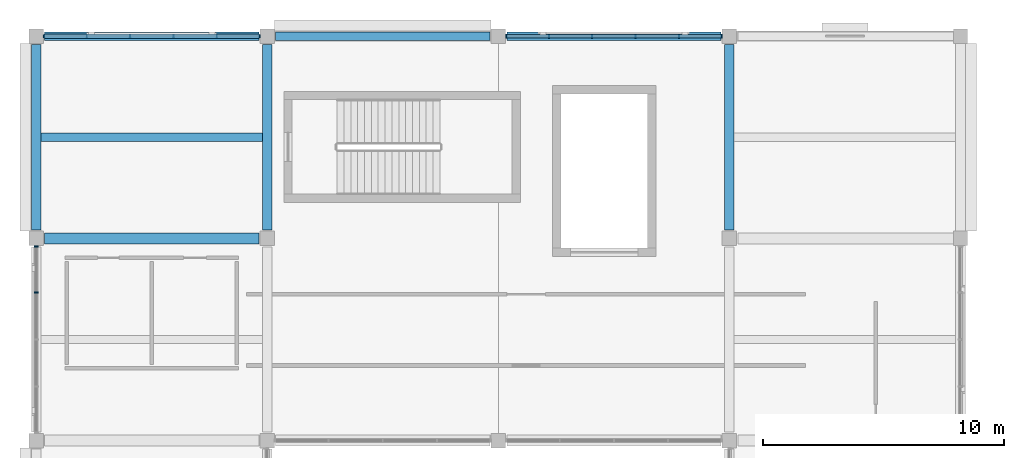
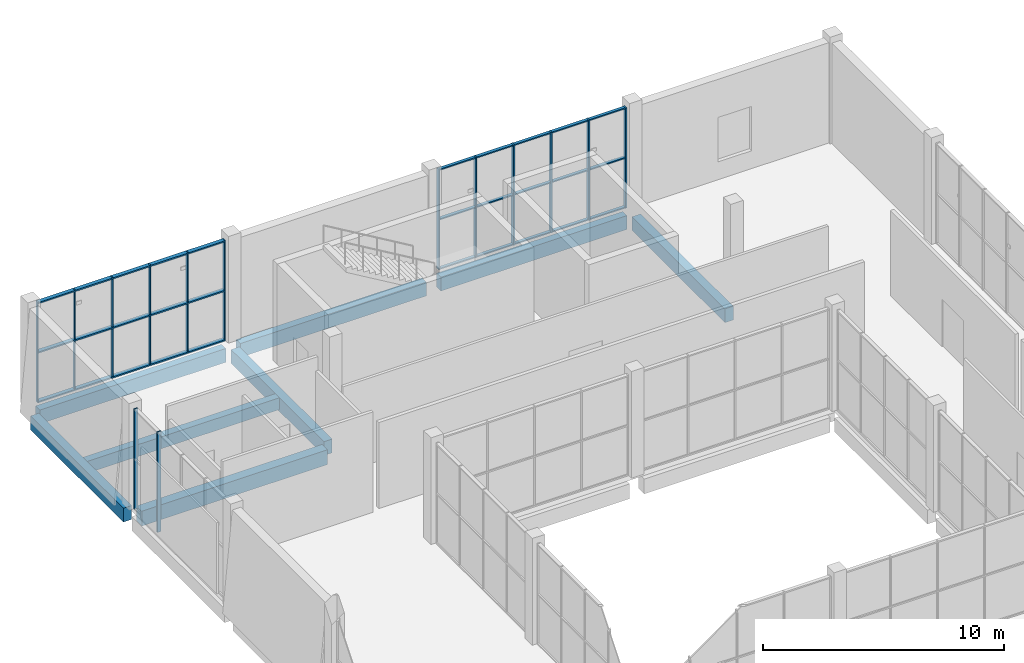
# One storey, part 26 of 83: 20 members, 8 beams, 3 elements without a shape of their own.
"""IFC4 building model written with IfcOpenShell, lengths in metres."""

import ifcopenshell
import ifcopenshell.guid

model = None  # the IFC model being written
_history = None  # IfcOwnerHistory: only IFC2X3 demands one
_inside = {}  # id of a spatial element -> (the spatial element, [elements in it])
_under = {}  # id of a project, library or spatial element -> (it, [spatial elements below it])
_declared = {}  # id of a project -> (the project, [libraries it declares])
_typed = {}  # id of a type object -> (the type object, [elements of that type])
_made_of = {}  # id of a material, layer set ... -> (it, [elements and type objects made of it])


def new_model(schema):
    """Start an empty IFC model of exactly this schema.

    Asked for "IFC4X3", IfcOpenShell would pick the latest addendum, in which some entities
    have other attributes; the version numbers below select the first issue.
    IFC2X3 requires an IfcOwnerHistory on every rooted entity: one is made here for all.
    """
    global model, _history
    if schema == "IFC4X3":
        model = ifcopenshell.file(schema_version=(4, 3, 0, 0))
    else:
        model = ifcopenshell.file(schema=schema)
    _inside.clear()
    _under.clear()
    _declared.clear()
    _typed.clear()
    _made_of.clear()
    _history = None
    if model.schema == "IFC2X3":
        org = make("IfcOrganization", Name="unknown")
        user = make(
            "IfcPersonAndOrganization",
            ThePerson=make("IfcPerson", FamilyName="unknown"),
            TheOrganization=org,
        )
        app = make(
            "IfcApplication",
            ApplicationDeveloper=org,
            Version="unknown",
            ApplicationFullName="unknown",
            ApplicationIdentifier="unknown",
        )
        _history = make(
            "IfcOwnerHistory",
            OwningUser=user,
            OwningApplication=app,
            ChangeAction="ADDED",
            CreationDate=0,
        )
    return model


def make(cls, **values):
    """One entity of the class cls with the attributes given. An attribute that is None is left unset."""
    return model.create_entity(
        cls, **{name: value for name, value in values.items() if value is not None}
    )


def rooted(cls, **values):
    """An entity with a GlobalId (a new one), such as an element, a storey or a relation."""
    return make(cls, GlobalId=ifcopenshell.guid.new(), OwnerHistory=_history, **values)


def si_unit(unit_type, name, prefix=None):
    """IfcSIUnit, for example si_unit("LENGTHUNIT", "METRE", prefix="MILLI")."""
    return make("IfcSIUnit", UnitType=unit_type, Prefix=prefix, Name=name)


def assignment(units):
    """IfcUnitAssignment: the units of a project."""
    return None if units is None else make("IfcUnitAssignment", Units=units)


def point(xyz):
    """IfcCartesianPoint."""
    return None if xyz is None else make("IfcCartesianPoint", Coordinates=xyz)


def direction(xyz):
    """IfcDirection."""
    return None if xyz is None else make("IfcDirection", DirectionRatios=xyz)


def frame(location, z_axis=None, x_axis=None):
    """IfcAxis2Placement3D, a coordinate frame: its origin and axes. An axis left out is left unset."""
    return make(
        "IfcAxis2Placement3D",
        Location=point(location),
        Axis=direction(z_axis),
        RefDirection=direction(x_axis),
    )


def frame_2d(location, x_axis=None):
    """IfcAxis2Placement2D, a coordinate frame in the plane: its origin and x axis."""
    return make(
        "IfcAxis2Placement2D", Location=point(location), RefDirection=direction(x_axis)
    )


def origin():
    """The frame at (0, 0, 0) with its axes left unset."""
    return frame((0.0, 0.0, 0.0))


def origin_2d():
    """The frame at (0, 0) in the plane with its x axis left unset."""
    return frame_2d((0.0, 0.0))


def place(relative_to, where):
    """IfcLocalPlacement: puts the frame where relative to a parent placement (None: the world)."""
    return make(
        "IfcLocalPlacement", PlacementRelTo=relative_to, RelativePlacement=where
    )


def context(
    kind, dimensions, precision=None, world=None, true_north=None, identifier=None
):
    """IfcGeometricRepresentationContext, for example the 3D "Model" context."""
    return make(
        "IfcGeometricRepresentationContext",
        ContextIdentifier=identifier,
        ContextType=kind,
        CoordinateSpaceDimension=dimensions,
        Precision=precision,
        WorldCoordinateSystem=world,
        TrueNorth=true_north,
    )


def subcontext(parent, identifier, kind, view, scale=None):
    """IfcGeometricRepresentationSubContext, for example "Body" below "Model"."""
    return make(
        "IfcGeometricRepresentationSubContext",
        ContextIdentifier=identifier,
        ContextType=kind,
        ParentContext=parent,
        TargetScale=scale,
        TargetView=view,
    )


def project(units=None, contexts=None):
    """IfcProject with its units and contexts."""
    return rooted(
        "IfcProject",
        Name="project",
        RepresentationContexts=contexts,
        UnitsInContext=assignment(units),
    )


def spatial(cls, under=None, at=None, **own):
    """A site, building, storey or space (cls), placed at a placement, below another one or the project."""
    s = rooted(cls, ObjectPlacement=at, **own)
    if under is not None:
        _under.setdefault(under.id(), (under, []))[1].append(s)
    return s


def profile(cls, at=None, kind="AREA", **sizes):
    """A parametric profile (cls). Its sizes go by their IFC names, for example OverallWidth=200.0."""
    return make(cls, ProfileType=kind, Position=at, **sizes)


def rectangle(**sizes):
    """IfcRectangleProfileDef."""
    return profile("IfcRectangleProfileDef", **sizes)


def extrude(swept, where, along, depth):
    """IfcExtrudedAreaSolid: the profile swept, set in the frame where, extruded along a direction by depth."""
    return make(
        "IfcExtrudedAreaSolid",
        SweptArea=swept,
        Position=where,
        ExtrudedDirection=direction(along),
        Depth=depth,
    )


def shape(context_of_items, identifier, shape_type, items):
    """IfcShapeRepresentation: the items that make up one representation, for example the "Body"."""
    return make(
        "IfcShapeRepresentation",
        ContextOfItems=context_of_items,
        RepresentationIdentifier=identifier,
        RepresentationType=shape_type,
        Items=items,
    )


def material(Name=None, Category=None):
    """IfcMaterial."""
    return make("IfcMaterial", Name=Name, Category=Category)


def material_profile(
    of_material, cross_section, Name=None, Category=None, Priority=None
):
    """IfcMaterialProfile: a cross section and its material."""
    return make(
        "IfcMaterialProfile",
        Name=Name,
        Material=of_material,
        Profile=cross_section,
        Priority=Priority,
        Category=Category,
    )


def profile_set(profiles, Name=None, composite=None):
    """IfcMaterialProfileSet."""
    return make(
        "IfcMaterialProfileSet",
        Name=Name,
        MaterialProfiles=profiles,
        CompositeProfile=composite,
    )


def made_of(thing, what):
    """Note that an element or type object is made of a material, layer set ...; save() writes the relation."""
    if what is not None:
        _made_of.setdefault(what.id(), (what, []))[1].append(thing)
    return thing


def type_object(cls, material=None, **own):
    """A type object (cls), such as IfcWallType, which elements share."""
    return made_of(rooted(cls, **own), material)


def element(
    cls,
    number,
    at=None,
    inside=None,
    cuts=None,
    type_object=None,
    material=None,
    context=None,
    identifier="Body",
    shape_type=None,
    held_by="IfcProductDefinitionShape",
    body=None,
    shapes=None,
    **own,
):
    """One element of the class cls, such as IfcWall. Its Tag is "e" and its number.

    at: its placement. inside: the storey or other place that contains it. cuts: it is an
    opening in that element (IfcRelVoidsElement). A single representation is given by context,
    identifier, shape_type and body (its items); several are given by shapes. held_by: the class
    of the entity that holds the representations. save() writes the other relations.
    """
    e = rooted(cls, Tag="e%d" % number, ObjectPlacement=at, **own)
    if body is not None:
        shapes = [shape(context, identifier, shape_type, body)]
    if shapes is not None:
        e.Representation = make(held_by, Representations=shapes)
    if inside is not None:
        _inside.setdefault(inside.id(), (inside, []))[1].append(e)
    if cuts is not None:
        rooted(
            "IfcRelVoidsElement", RelatingBuildingElement=cuts, RelatedOpeningElement=e
        )
    if type_object is not None:
        _typed.setdefault(type_object.id(), (type_object, []))[1].append(e)
    return made_of(e, material)


def aggregate(whole, parts):
    """IfcRelAggregates: a whole, such as a stair, and the parts it consists of."""
    return rooted("IfcRelAggregates", RelatingObject=whole, RelatedObjects=parts)


def save(model, path):
    """Write the relations noted so far, then the file.

    IfcRelAggregates (storeys below a building ...), IfcRelContainedInSpatialStructure (elements
    in a storey), IfcRelDefinesByType, IfcRelAssociatesMaterial and IfcRelDeclares: one each for
    every whole, place, type object, material and project.
    """
    for whole, parts in _under.values():
        aggregate(whole, parts)
    for where, things in _inside.values():
        rooted(
            "IfcRelContainedInSpatialStructure",
            RelatedElements=things,
            RelatingStructure=where,
        )
    for kind, things in _typed.values():
        rooted("IfcRelDefinesByType", RelatedObjects=things, RelatingType=kind)
    for what, things in _made_of.values():
        rooted("IfcRelAssociatesMaterial", RelatedObjects=things, RelatingMaterial=what)
    for by, libraries in _declared.values():
        rooted("IfcRelDeclares", RelatingContext=by, RelatedDefinitions=libraries)
    model.write(path)


model = new_model("IFC4")

# Units and contexts
model_context = context("Model", 3, precision=1e-05, world=origin(), true_north=direction((0.0, 1.0)))
body_context = subcontext(model_context, "Body", "Model", "MODEL_VIEW")
ifc_project = project(units=[si_unit("LENGTHUNIT", "METRE"), si_unit("AREAUNIT", "SQUARE_METRE"), si_unit("VOLUMEUNIT", "CUBIC_METRE"), si_unit("PLANEANGLEUNIT", "RADIAN"), si_unit("MASSUNIT", "GRAM", prefix="KILO")], contexts=[model_context])

# Site, building, storey
site_placement = place(None, origin())
site = spatial("IfcSite", under=ifc_project, at=site_placement, CompositionType="ELEMENT")
building_placement = place(site_placement, origin())
building = spatial("IfcBuilding", under=site, at=building_placement, Name="Shalvenor Court Art Gallery", CompositionType="ELEMENT")
storey_placement = place(building_placement, frame((0.0, 0.0, 6.0)))
storey = spatial("IfcBuildingStorey", under=building, at=storey_placement, Name="L01", CompositionType="ELEMENT", Elevation=6.0)

# Beams
ifc_material_1 = material(Name="Concrete C40/50", Category="concrete")
ifc_material_profile_1 = material_profile(ifc_material_1, rectangle(XDim=0.449951171875, YDim=0.75, at=origin_2d()), Name="RC 450x750")
ifc_profile_set_1 = profile_set([ifc_material_profile_1], Name="Concrete C40/50")
beam_type_1 = type_object("IfcBeamType", Name="B-04", PredefinedType="BEAM", material=ifc_profile_set_1)
beam_1_placement = place(storey_placement, frame((0.35009765625, 114.0, -0.695068359375), z_axis=(1.0, 0.0, 0.0), x_axis=(0.0, 1.0, 0.0)))
element("IfcBeam", 1, at=beam_1_placement, inside=storey, type_object=beam_type_1, Name="L01 Girder BM-L01-B-04-0604", PredefinedType="BEAM", context=body_context, shape_type="SweptSolid", body=[
    extrude(rectangle(XDim=0.449951171875, YDim=0.75, at=origin_2d()), origin(), (0.0, 0.0, 1.0), 8.89990234375),
])
ifc_material_2 = material(Name="Concrete C40/50", Category="concrete")
ifc_material_profile_2 = material_profile(ifc_material_2, rectangle(XDim=0.39990234375, YDim=0.699951171875, at=origin_2d()), Name="RC 400x700")
ifc_profile_set_2 = profile_set([ifc_material_profile_2], Name="Concrete C40/50")
beam_type_2 = type_object("IfcBeamType", Name="B-05", PredefinedType="BEAM", material=ifc_profile_set_2)
for number, where, z_axis, x_axis, name in (
    (2, (0.0, 114.35009765625, -0.669921875), (0.0, 1.0, 0.0), (-1.0, 0.0, 0.0), "L01 Girder BM-L01-B-05-0365"),
    (3, (9.60009765625, 114.35009765625, -0.669921875), (0.0, 1.0, 0.0), (-1.0, 0.0, 0.0), "L01 Girder BM-L01-B-05-0373"),
    (4, (28.800048828125, 114.35009765625, -0.669921875), (0.0, 1.0, 0.0), (-1.0, 0.0, 0.0), "L01 Girder BM-L01-B-05-0387"),
):
    element("IfcBeam", number, at=place(storey_placement, frame(where, z_axis=z_axis, x_axis=x_axis)), inside=storey, type_object=beam_type_2, Name=name, PredefinedType="BEAM", context=body_context, shape_type="SweptSolid", body=[
        extrude(rectangle(XDim=0.39990234375, YDim=0.699951171875, at=origin_2d()), origin(), (0.0, 0.0, 1.0), 7.699951171875),
    ])

# Curtain wall, members
ifc_material_3 = material(Name="Anodised aluminium and low-iron glass curtain wall", Category="aluminium")
curtain_wall_type_1 = type_object("IfcCurtainWallType", Name="CW-5x2-90-51-111", PredefinedType="USERDEFINED", material=ifc_material_3)
curtain_wall_1_placement = place(storey_placement, origin())
curtain_wall_1 = element("IfcCurtainWall", 5, at=curtain_wall_1_placement, inside=storey, type_object=curtain_wall_type_1, Name="L01 V5 Curtain Wall CW-L01-168", ObjectType="CURTAIN WALL", PredefinedType="USERDEFINED")
ifc_material_4 = material(Name="Anodised aluminium mullion", Category="aluminium")
ifc_material_profile_3 = material_profile(ifc_material_4, rectangle(XDim=0.06494140625, YDim=0.179931640625, at=origin_2d()), Name="CWM-01")
ifc_profile_set_3 = profile_set([ifc_material_profile_3], Name="Anodised aluminium mullion")
member_type_1 = type_object("IfcMemberType", Name="CWM-01", PredefinedType="MULLION", material=ifc_profile_set_3)
member_1_placement = place(storey_placement, frame((19.532470703125, 122.39990234375, 0.0), z_axis=(0.0, 0.0, 1.0), x_axis=(1.0, 0.0, 0.0)))
member_1 = element("IfcMember", 6, at=member_1_placement, type_object=member_type_1, Name="CW-5x2-90-51-111 mullion 1", PredefinedType="MULLION", context=body_context, shape_type="SweptSolid", body=[
    extrude(rectangle(XDim=0.06494140625, YDim=0.179931640625, at=origin_2d()), origin(), (0.0, 0.0, 1.0), 5.080078125),
])
member_2_placement = place(storey_placement, frame((21.300048828125, 122.39990234375, 0.0), z_axis=(0.0, 0.0, 1.0), x_axis=(1.0, 0.0, 0.0)))
member_2 = element("IfcMember", 7, at=member_2_placement, type_object=member_type_1, Name="CW-5x2-90-51-111 mullion 2", PredefinedType="MULLION", context=body_context, shape_type="SweptSolid", body=[
    extrude(rectangle(XDim=0.06494140625, YDim=0.179931640625, at=origin_2d()), origin(), (0.0, 0.0, 1.0), 5.080078125),
])
member_3_placement = place(storey_placement, frame((23.10009765625, 122.39990234375, 0.0), z_axis=(0.0, 0.0, 1.0), x_axis=(1.0, 0.0, 0.0)))
member_3 = element("IfcMember", 8, at=member_3_placement, type_object=member_type_1, Name="CW-5x2-90-51-111 mullion 3", PredefinedType="MULLION", context=body_context, shape_type="SweptSolid", body=[
    extrude(rectangle(XDim=0.06494140625, YDim=0.179931640625, at=origin_2d()), origin(), (0.0, 0.0, 1.0), 5.080078125),
])
member_4_placement = place(storey_placement, frame((24.89990234375, 122.39990234375, 0.0), z_axis=(0.0, 0.0, 1.0), x_axis=(1.0, 0.0, 0.0)))
member_4 = element("IfcMember", 9, at=member_4_placement, type_object=member_type_1, Name="CW-5x2-90-51-111 mullion 4", PredefinedType="MULLION", context=body_context, shape_type="SweptSolid", body=[
    extrude(rectangle(XDim=0.06494140625, YDim=0.179931640625, at=origin_2d()), origin(), (0.0, 0.0, 1.0), 5.080078125),
])
member_5_placement = place(storey_placement, frame((26.699951171875, 122.39990234375, 0.0), z_axis=(0.0, 0.0, 1.0), x_axis=(1.0, 0.0, 0.0)))
member_5 = element("IfcMember", 10, at=member_5_placement, type_object=member_type_1, Name="CW-5x2-90-51-111 mullion 5", PredefinedType="MULLION", context=body_context, shape_type="SweptSolid", body=[
    extrude(rectangle(XDim=0.06494140625, YDim=0.179931640625, at=origin_2d()), origin(), (0.0, 0.0, 1.0), 5.080078125),
])
member_6_placement = place(storey_placement, frame((28.467529296875, 122.39990234375, 0.0), z_axis=(0.0, 0.0, 1.0), x_axis=(1.0, 0.0, 0.0)))
member_6 = element("IfcMember", 11, at=member_6_placement, type_object=member_type_1, Name="CW-5x2-90-51-111 mullion 6", PredefinedType="MULLION", context=body_context, shape_type="SweptSolid", body=[
    extrude(rectangle(XDim=0.06494140625, YDim=0.179931640625, at=origin_2d()), origin(), (0.0, 0.0, 1.0), 5.080078125),
])

ifc_material_5 = material(Name="Anodised aluminium and low-iron glass curtain wall", Category="aluminium")
curtain_wall_type_2 = type_object("IfcCurtainWallType", Name="CW-4x2-78-51-121", PredefinedType="USERDEFINED", material=ifc_material_5)
curtain_wall_2_placement = place(storey_placement, origin())
curtain_wall_2 = element("IfcCurtainWall", 12, at=curtain_wall_2_placement, inside=storey, type_object=curtain_wall_type_2, Name="L01 V5 Curtain Wall CW-L01-172", ObjectType="CURTAIN WALL", PredefinedType="USERDEFINED")
member_7_placement = place(storey_placement, frame((0.0, 111.75, 0.0), z_axis=(0.0, 0.0, 1.0), x_axis=(0.0, 1.0, 0.0)))
member_7 = element("IfcMember", 13, at=member_7_placement, type_object=member_type_1, Name="CW-4x2-78-51-121 mullion 4", PredefinedType="MULLION", context=body_context, shape_type="SweptSolid", body=[
    extrude(rectangle(XDim=0.06494140625, YDim=0.179931640625, at=origin_2d()), origin(), (0.0, 0.0, 1.0), 5.080078125),
])
member_8_placement = place(storey_placement, frame((0.0, 113.66748046875, 0.0), z_axis=(0.0, 0.0, 1.0), x_axis=(0.0, 1.0, 0.0)))
member_8 = element("IfcMember", 14, at=member_8_placement, type_object=member_type_1, Name="CW-4x2-78-51-121 mullion 5", PredefinedType="MULLION", context=body_context, shape_type="SweptSolid", body=[
    extrude(rectangle(XDim=0.06494140625, YDim=0.179931640625, at=origin_2d()), origin(), (0.0, 0.0, 1.0), 5.080078125),
])
aggregate(curtain_wall_2, [member_7, member_8])

ifc_material_6 = material(Name="Anodised aluminium and low-iron glass curtain wall", Category="aluminium")
curtain_wall_type_3 = type_object("IfcCurtainWallType", Name="CW-5x2-90-51-641", PredefinedType="USERDEFINED", material=ifc_material_6)
curtain_wall_3_placement = place(storey_placement, origin())
curtain_wall_3 = element("IfcCurtainWall", 15, at=curtain_wall_3_placement, inside=storey, type_object=curtain_wall_type_3, Name="L01 V5 Curtain Wall CW-L01-167", ObjectType="CURTAIN WALL", PredefinedType="USERDEFINED")
ifc_material_7 = material(Name="Anodised aluminium mullion", Category="aluminium")
ifc_material_profile_4 = material_profile(ifc_material_7, rectangle(XDim=0.054931640625, YDim=0.139892578125, at=origin_2d()), Name="CWM-06")
ifc_profile_set_4 = profile_set([ifc_material_profile_4], Name="Anodised aluminium mullion")
member_type_2 = type_object("IfcMemberType", Name="CWM-06", PredefinedType="MULLION", material=ifc_profile_set_4)
member_9_placement = place(storey_placement, frame((0.327392578125, 122.39990234375, 0.0), z_axis=(0.0, 0.0, 1.0), x_axis=(1.0, 0.0, 0.0)))
member_9 = element("IfcMember", 16, at=member_9_placement, type_object=member_type_2, Name="CW-5x2-90-51-641 mullion 1", PredefinedType="MULLION", context=body_context, shape_type="SweptSolid", body=[
    extrude(rectangle(XDim=0.054931640625, YDim=0.139892578125, at=origin_2d()), origin(), (0.0, 0.0, 1.0), 5.080078125),
])
member_10_placement = place(storey_placement, frame((2.10009765625, 122.39990234375, 0.0), z_axis=(0.0, 0.0, 1.0), x_axis=(1.0, 0.0, 0.0)))
member_10 = element("IfcMember", 17, at=member_10_placement, type_object=member_type_2, Name="CW-5x2-90-51-641 mullion 2", PredefinedType="MULLION", context=body_context, shape_type="SweptSolid", body=[
    extrude(rectangle(XDim=0.054931640625, YDim=0.139892578125, at=origin_2d()), origin(), (0.0, 0.0, 1.0), 5.080078125),
])
member_11_placement = place(storey_placement, frame((3.89990234375, 122.39990234375, 0.0), z_axis=(0.0, 0.0, 1.0), x_axis=(1.0, 0.0, 0.0)))
member_11 = element("IfcMember", 18, at=member_11_placement, type_object=member_type_2, Name="CW-5x2-90-51-641 mullion 3", PredefinedType="MULLION", context=body_context, shape_type="SweptSolid", body=[
    extrude(rectangle(XDim=0.054931640625, YDim=0.139892578125, at=origin_2d()), origin(), (0.0, 0.0, 1.0), 5.080078125),
])
member_12_placement = place(storey_placement, frame((5.699951171875, 122.39990234375, 0.0), z_axis=(0.0, 0.0, 1.0), x_axis=(1.0, 0.0, 0.0)))
member_12 = element("IfcMember", 19, at=member_12_placement, type_object=member_type_2, Name="CW-5x2-90-51-641 mullion 4", PredefinedType="MULLION", context=body_context, shape_type="SweptSolid", body=[
    extrude(rectangle(XDim=0.054931640625, YDim=0.139892578125, at=origin_2d()), origin(), (0.0, 0.0, 1.0), 5.080078125),
])
member_13_placement = place(storey_placement, frame((7.5, 122.39990234375, 0.0), z_axis=(0.0, 0.0, 1.0), x_axis=(1.0, 0.0, 0.0)))
member_13 = element("IfcMember", 20, at=member_13_placement, type_object=member_type_2, Name="CW-5x2-90-51-641 mullion 5", PredefinedType="MULLION", context=body_context, shape_type="SweptSolid", body=[
    extrude(rectangle(XDim=0.054931640625, YDim=0.139892578125, at=origin_2d()), origin(), (0.0, 0.0, 1.0), 5.080078125),
])
member_14_placement = place(storey_placement, frame((9.2724609375, 122.39990234375, 0.0), z_axis=(0.0, 0.0, 1.0), x_axis=(1.0, 0.0, 0.0)))
member_14 = element("IfcMember", 21, at=member_14_placement, type_object=member_type_2, Name="CW-5x2-90-51-641 mullion 6", PredefinedType="MULLION", context=body_context, shape_type="SweptSolid", body=[
    extrude(rectangle(XDim=0.054931640625, YDim=0.139892578125, at=origin_2d()), origin(), (0.0, 0.0, 1.0), 5.080078125),
])

# Member
ifc_material_8 = material(Name="Anodised aluminium transom", Category="aluminium")
ifc_material_profile_5 = material_profile(ifc_material_8, rectangle(XDim=0.14990234375, YDim=0.06005859375, at=origin_2d()), Name="CWT-01")
ifc_profile_set_5 = profile_set([ifc_material_profile_5], Name="Anodised aluminium transom")
member_type_3 = type_object("IfcMemberType", Name="CWT-01", PredefinedType="USERDEFINED", material=ifc_profile_set_5)
member_15_placement = place(storey_placement, frame((19.532470703125, 122.39990234375, 0.030029296875), z_axis=(1.0, 0.0, 0.0), x_axis=(0.0, 1.0, 0.0)))
member_15 = element("IfcMember", 22, at=member_15_placement, type_object=member_type_3, Name="CW-5x2-90-51-111 transom 1", ObjectType="TRANSOM", PredefinedType="USERDEFINED", context=body_context, shape_type="SweptSolid", body=[
    extrude(rectangle(XDim=0.14990234375, YDim=0.06005859375, at=origin_2d()), origin(), (0.0, 0.0, 1.0), 8.93505859375),
])

member_16_placement = place(storey_placement, frame((19.532470703125, 122.39990234375, 2.5400390625), z_axis=(1.0, 0.0, 0.0), x_axis=(0.0, 1.0, 0.0)))
member_16 = element("IfcMember", 23, at=member_16_placement, type_object=member_type_3, Name="CW-5x2-90-51-111 transom 2", ObjectType="TRANSOM", PredefinedType="USERDEFINED", context=body_context, shape_type="SweptSolid", body=[
    extrude(rectangle(XDim=0.14990234375, YDim=0.06005859375, at=origin_2d()), origin(), (0.0, 0.0, 1.0), 8.93505859375),
])

member_17_placement = place(storey_placement, frame((19.532470703125, 122.39990234375, 5.050048828125), z_axis=(1.0, 0.0, 0.0), x_axis=(0.0, 1.0, 0.0)))
member_17 = element("IfcMember", 24, at=member_17_placement, type_object=member_type_3, Name="CW-5x2-90-51-111 transom 3", ObjectType="TRANSOM", PredefinedType="USERDEFINED", context=body_context, shape_type="SweptSolid", body=[
    extrude(rectangle(XDim=0.14990234375, YDim=0.06005859375, at=origin_2d()), origin(), (0.0, 0.0, 1.0), 8.93505859375),
])

aggregate(curtain_wall_1, [member_1, member_2, member_3, member_4, member_5, member_6, member_15, member_16, member_17])

ifc_material_9 = material(Name="Anodised aluminium transom", Category="aluminium")
ifc_material_profile_6 = material_profile(ifc_material_9, rectangle(XDim=0.18994140625, YDim=0.070068359375, at=origin_2d()), Name="CWT-04")
ifc_profile_set_6 = profile_set([ifc_material_profile_6], Name="Anodised aluminium transom")
member_type_4 = type_object("IfcMemberType", Name="CWT-04", PredefinedType="USERDEFINED", material=ifc_profile_set_6)
member_18_placement = place(storey_placement, frame((0.327392578125, 122.39990234375, 0.034912109375), z_axis=(1.0, 0.0, 0.0), x_axis=(0.0, 1.0, 0.0)))
member_18 = element("IfcMember", 25, at=member_18_placement, type_object=member_type_4, Name="CW-5x2-90-51-641 transom 1", ObjectType="TRANSOM", PredefinedType="USERDEFINED", context=body_context, shape_type="SweptSolid", body=[
    extrude(rectangle(XDim=0.18994140625, YDim=0.070068359375, at=origin_2d()), origin(), (0.0, 0.0, 1.0), 8.945068359375),
])

member_19_placement = place(storey_placement, frame((0.327392578125, 122.39990234375, 2.5400390625), z_axis=(1.0, 0.0, 0.0), x_axis=(0.0, 1.0, 0.0)))
member_19 = element("IfcMember", 26, at=member_19_placement, type_object=member_type_4, Name="CW-5x2-90-51-641 transom 2", ObjectType="TRANSOM", PredefinedType="USERDEFINED", context=body_context, shape_type="SweptSolid", body=[
    extrude(rectangle(XDim=0.18994140625, YDim=0.070068359375, at=origin_2d()), origin(), (0.0, 0.0, 1.0), 8.945068359375),
])

member_20_placement = place(storey_placement, frame((0.327392578125, 122.39990234375, 5.044921875), z_axis=(1.0, 0.0, 0.0), x_axis=(0.0, 1.0, 0.0)))
member_20 = element("IfcMember", 27, at=member_20_placement, type_object=member_type_4, Name="CW-5x2-90-51-641 transom 3", ObjectType="TRANSOM", PredefinedType="USERDEFINED", context=body_context, shape_type="SweptSolid", body=[
    extrude(rectangle(XDim=0.18994140625, YDim=0.070068359375, at=origin_2d()), origin(), (0.0, 0.0, 1.0), 8.945068359375),
])

aggregate(curtain_wall_3, [member_9, member_10, member_11, member_12, member_13, member_14, member_18, member_19, member_20])

# Beams
ifc_material_10 = material(Name="Concrete C40/50", Category="concrete")
ifc_material_profile_7 = material_profile(ifc_material_10, rectangle(XDim=0.35009765625, YDim=0.60009765625, at=origin_2d()), Name="RC 350x600")
ifc_profile_set_7 = profile_set([ifc_material_profile_7], Name="Concrete C40/50")
beam_type_3 = type_object("IfcBeamType", Name="J-01", PredefinedType="JOIST", material=ifc_profile_set_7)
beam_2_placement = place(storey_placement, frame((0.199951171875, 118.199951171875, -0.6201171875), z_axis=(1.0, 0.0, 0.0), x_axis=(0.0, 1.0, 0.0)))
element("IfcBeam", 28, at=beam_2_placement, inside=storey, type_object=beam_type_3, Name="L01 Secondary Beam JST-L01-J-01-0629", PredefinedType="JOIST", context=body_context, shape_type="SweptSolid", body=[
    extrude(rectangle(XDim=0.35009765625, YDim=0.60009765625, at=origin_2d()), origin(), (0.0, 0.0, 1.0), 9.199951171875),
])
ifc_material_11 = material(Name="Concrete C40/50", Category="concrete")
ifc_material_profile_8 = material_profile(ifc_material_11, rectangle(XDim=0.35009765625, YDim=0.699951171875, at=origin_2d()), Name="RC 350x700")
ifc_profile_set_8 = profile_set([ifc_material_profile_8], Name="Concrete C40/50")
beam_type_4 = type_object("IfcBeamType", Name="SP-01", PredefinedType="SPANDREL", material=ifc_profile_set_8)
beam_3_placement = place(storey_placement, frame((0.35009765625, 122.39990234375, -0.669921875), z_axis=(1.0, 0.0, 0.0), x_axis=(0.0, 1.0, 0.0)))
element("IfcBeam", 29, at=beam_3_placement, inside=storey, type_object=beam_type_4, Name="L01 Spandrel Girder BM-L01-SP-01-0613", PredefinedType="SPANDREL", context=body_context, shape_type="SweptSolid", body=[
    extrude(rectangle(XDim=0.35009765625, YDim=0.699951171875, at=origin_2d()), origin(), (0.0, 0.0, 1.0), 8.89990234375),
])
beam_4_placement = place(storey_placement, frame((9.949951171875, 122.39990234375, -0.669921875), z_axis=(1.0, 0.0, 0.0), x_axis=(0.0, 1.0, 0.0)))
element("IfcBeam", 30, at=beam_4_placement, inside=storey, type_object=beam_type_4, Name="L01 Spandrel Girder BM-L01-SP-01-0614", PredefinedType="SPANDREL", context=body_context, shape_type="SweptSolid", body=[
    extrude(rectangle(XDim=0.35009765625, YDim=0.699951171875, at=origin_2d()), origin(), (0.0, 0.0, 1.0), 8.900146484375),
])
beam_5_placement = place(storey_placement, frame((19.550048828125, 122.39990234375, -0.669921875), z_axis=(1.0, 0.0, 0.0), x_axis=(0.0, 1.0, 0.0)))
element("IfcBeam", 31, at=beam_5_placement, inside=storey, type_object=beam_type_4, Name="L01 Spandrel Girder BM-L01-SP-01-0615", PredefinedType="SPANDREL", context=body_context, shape_type="SweptSolid", body=[
    extrude(rectangle(XDim=0.35009765625, YDim=0.699951171875, at=origin_2d()), origin(), (0.0, 0.0, 1.0), 8.89990234375),
])

save(model, "model.ifc")
